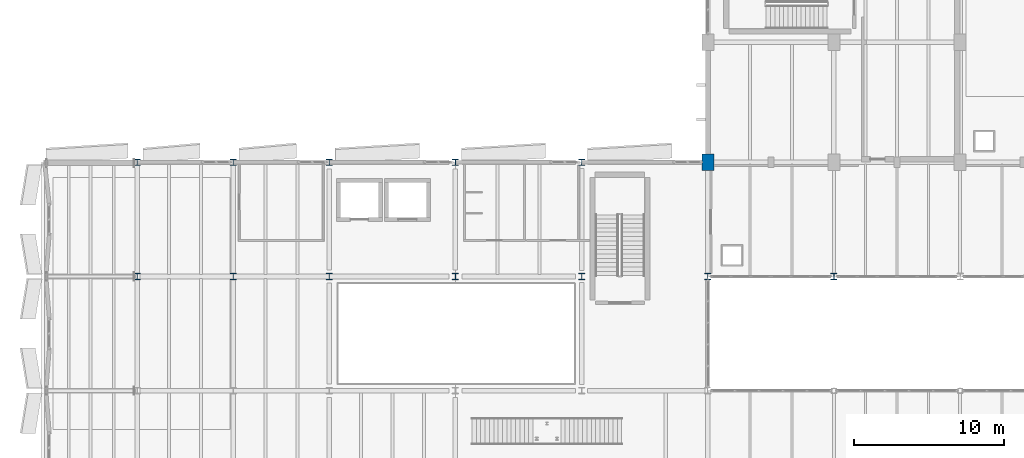
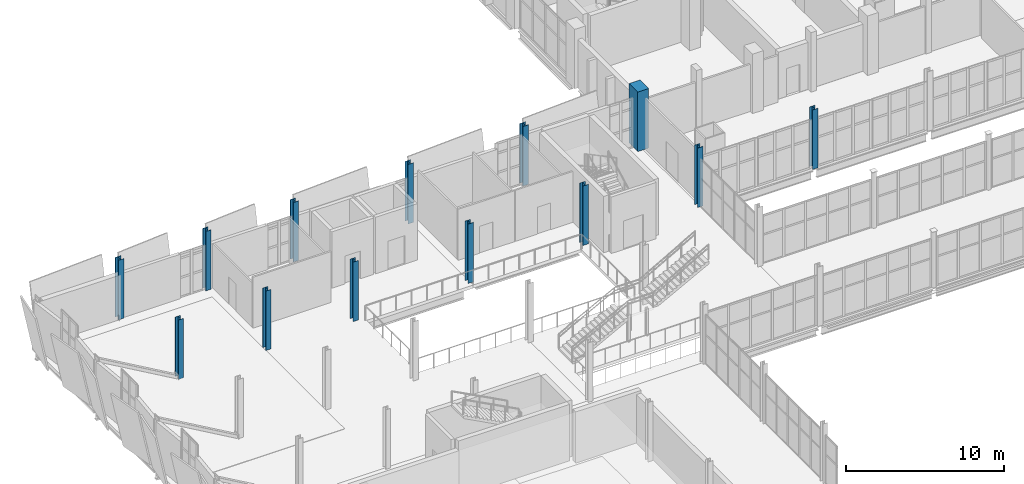
# One storey, part 7 of 172: 13 columns.
"""IFC4 building model written with IfcOpenShell, lengths in metres."""

from ifc_helpers import new_model, si_unit, direction, frame, origin, origin_2d, place, context, subcontext, project, spatial, rectangle, i_section, extrude, material, material_profile, profile_set, type_object, element, save


model = new_model("IFC4")

# Units and contexts
model_context = context("Model", 3, precision=1e-05, world=origin(), true_north=direction((0.0, 1.0)))
body_context = subcontext(model_context, "Body", "Model", "MODEL_VIEW")
ifc_project = project(units=[si_unit("LENGTHUNIT", "METRE"), si_unit("AREAUNIT", "SQUARE_METRE"), si_unit("VOLUMEUNIT", "CUBIC_METRE"), si_unit("PLANEANGLEUNIT", "RADIAN"), si_unit("MASSUNIT", "GRAM", prefix="KILO")], contexts=[model_context])

# Site, building, storey
site_placement = place(None, origin())
site = spatial("IfcSite", under=ifc_project, at=site_placement, CompositionType="ELEMENT")
building_placement = place(site_placement, origin())
building = spatial("IfcBuilding", under=site, at=building_placement, Name="Shengluoqiao Park Theatre", CompositionType="ELEMENT")
storey_placement = place(building_placement, frame((0.0, 0.0, 5.39990234375)))
storey = spatial("IfcBuildingStorey", under=building, at=storey_placement, Name="L01", CompositionType="ELEMENT", Elevation=5.39990234375)

# Columns
ifc_material_1 = material(Name="Steel Q355", Category="steel")
ifc_material_profile_1 = material_profile(ifc_material_1, i_section(OverallWidth=0.39990234375, OverallDepth=0.39990234375, WebThickness=0.012939453125, FlangeThickness=0.02099609375, FilletRadius=0.02197265625, at=origin_2d()), Name="HW 400x400x13x21")
ifc_profile_set_1 = profile_set([ifc_material_profile_1], Name="Steel Q355")
column_type_1 = type_object("IfcColumnType", Name="STR-COL-C-HW400", PredefinedType="COLUMN", material=ifc_profile_set_1)
for number, where, z_axis, x_axis, name in (
    (1, (6.39990234375, 68.39990234375, 0.0), (0.0, 0.0, 1.0), (1.0, 0.0, 0.0), "L01 Column 0022"),
    (2, (6.39990234375, 76.0, 0.0), (0.0, 0.0, 1.0), (1.0, 0.0, 0.0), "L01 Column 0026"),
    (3, (12.800048828125, 68.39990234375, 0.0), (0.0, 0.0, 1.0), (1.0, 0.0, 0.0), "L01 Column 0060"),
    (4, (12.800048828125, 76.0, 0.0), (0.0, 0.0, 1.0), (1.0, 0.0, 0.0), "L01 Column 0064"),
    (5, (19.199951171875, 68.39990234375, 0.0), (0.0, 0.0, 1.0), (1.0, 0.0, 0.0), "L01 Column 0092"),
    (6, (19.199951171875, 76.0, 0.0), (0.0, 0.0, 1.0), (1.0, 0.0, 0.0), "L01 Column 0096"),
    (7, (27.60009765625, 68.39990234375, 0.0), (0.0, 0.0, 1.0), (1.0, 0.0, 0.0), "L01 Column 0136"),
    (8, (27.60009765625, 76.0, 0.0), (0.0, 0.0, 1.0), (1.0, 0.0, 0.0), "L01 Column 0140"),
    (9, (36.0, 68.39990234375, 0.0), (0.0, 0.0, 1.0), (1.0, 0.0, 0.0), "L01 Column 0180"),
    (10, (36.0, 76.0, 0.0), (0.0, 0.0, 1.0), (1.0, 0.0, 0.0), "L01 Column 0184"),
    (11, (44.39990234375, 68.39990234375, 0.0), (0.0, 0.0, 1.0), (1.0, 0.0, 0.0), "L01 Column 0212"),
    (12, (52.800048828125, 68.39990234375, 0.0), (0.0, 0.0, 1.0), (1.0, 0.0, 0.0), "L01 Column 0260"),
):
    element("IfcColumn", number, at=place(storey_placement, frame(where, z_axis=z_axis, x_axis=x_axis)), inside=storey, type_object=column_type_1, Name=name, PredefinedType="COLUMN", context=body_context, shape_type="SweptSolid", body=[
        extrude(i_section(OverallWidth=0.39990234375, OverallDepth=0.39990234375, WebThickness=0.012939453125, FlangeThickness=0.02099609375, FilletRadius=0.02197265625, at=origin_2d()), origin(), (0.0, 0.0, 1.0), 4.60009765625),
    ])
ifc_material_2 = material(Name="Concrete C50", Category="concrete")
ifc_material_profile_2 = material_profile(ifc_material_2, rectangle(XDim=0.800048828125, YDim=1.10009765625, at=origin_2d()), Name="RC 800x1100")
ifc_profile_set_2 = profile_set([ifc_material_profile_2], Name="Concrete C50")
column_type_2 = type_object("IfcColumnType", Name="STR-COL-C-RC8011", PredefinedType="COLUMN", material=ifc_profile_set_2)
column_placement = place(storey_placement, frame((44.39990234375, 76.0, 0.0), z_axis=(0.0, 0.0, 1.0), x_axis=(1.0, 0.0, 0.0)))
element("IfcColumn", 13, at=column_placement, inside=storey, type_object=column_type_2, Name="L01 Column 0217", PredefinedType="COLUMN", context=body_context, shape_type="SweptSolid", body=[
    extrude(rectangle(XDim=0.800048828125, YDim=1.10009765625, at=origin_2d()), origin(), (0.0, 0.0, 1.0), 4.60009765625),
])

save(model, "model.ifc")
